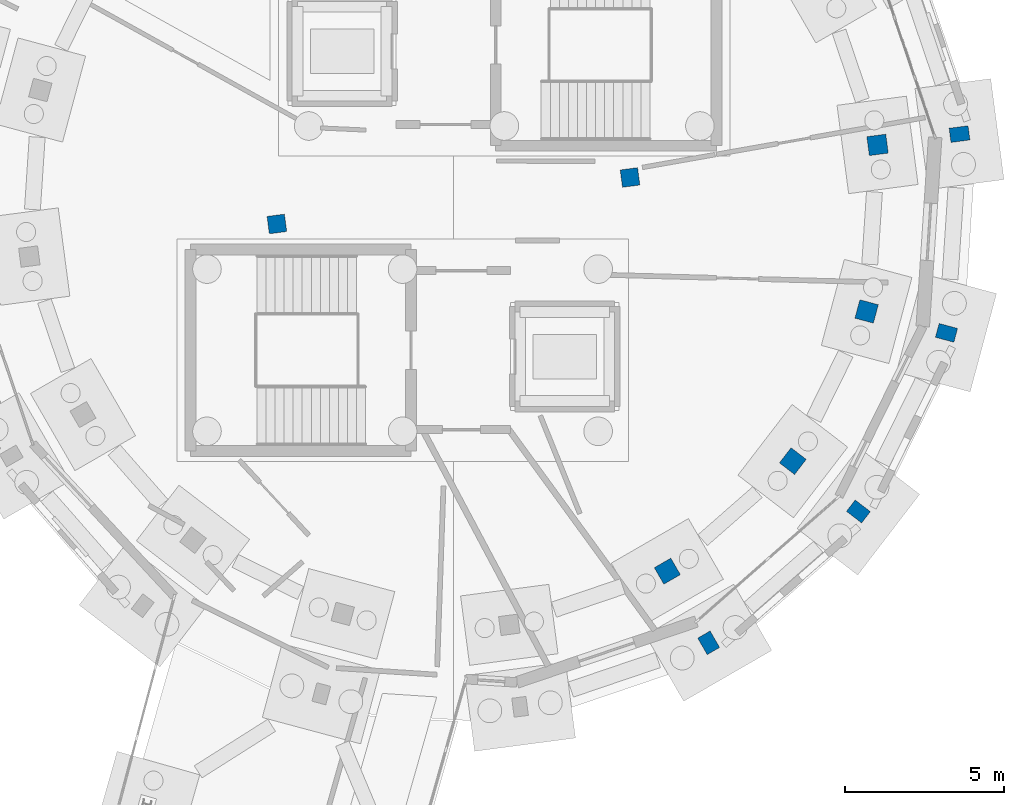
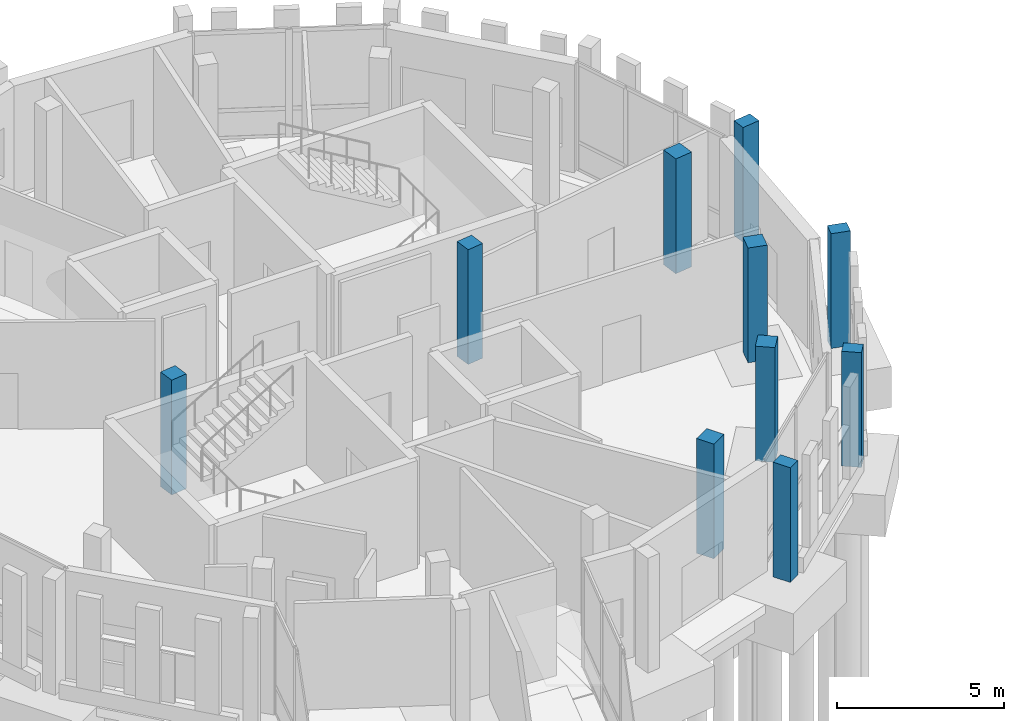
# One storey, part 26 of 113: 10 columns.
"""IFC4 building model written with IfcOpenShell, lengths in metres."""

from ifc_helpers import new_model, si_unit, direction, frame, origin, origin_2d, place, context, subcontext, project, spatial, rectangle, extrude, material, material_profile, profile_set, type_object, element, save


model = new_model("IFC4")

# Units and contexts
model_context = context("Model", 3, precision=1e-05, world=origin(), true_north=direction((0.0, 1.0)))
body_context = subcontext(model_context, "Body", "Model", "MODEL_VIEW")
ifc_project = project(units=[si_unit("LENGTHUNIT", "METRE"), si_unit("AREAUNIT", "SQUARE_METRE"), si_unit("VOLUMEUNIT", "CUBIC_METRE"), si_unit("PLANEANGLEUNIT", "RADIAN"), si_unit("MASSUNIT", "GRAM", prefix="KILO")], contexts=[model_context])

# Site, building, storey
site_placement = place(None, origin())
site = spatial("IfcSite", under=ifc_project, at=site_placement, CompositionType="ELEMENT")
building_placement = place(site_placement, origin())
building = spatial("IfcBuilding", under=site, at=building_placement, Name="Wrenclough Park School", CompositionType="ELEMENT")
storey_placement = place(building_placement, origin())
storey = spatial("IfcBuildingStorey", under=building, at=storey_placement, Name="L00", CompositionType="ELEMENT", Elevation=0.0)

# Columns
ifc_material = material(Name="Concrete C40/50", Category="concrete")
ifc_material_profile_1 = material_profile(ifc_material, rectangle(XDim=0.550048828125, YDim=0.550048828125, at=origin_2d()), Name="RC COL 550x550")
ifc_profile_set_1 = profile_set([ifc_material_profile_1], Name="Concrete C40/50")
column_type_1 = type_object("IfcColumnType", Name="STR-COL-RC550", PredefinedType="COLUMN", material=ifc_profile_set_1)
for number, where, z_axis, x_axis, name in (
    (1, (180.052001953125, 94.23095703125, 0.0), (0.0, 0.0, 1.0), (0.991444861374, 0.13052619222, 0.0), "D5 L00 column D5-INN-01"),
    (2, (168.947998046875, 92.76904296875, 0.0), (0.0, 0.0, 1.0), (-0.991444861374, -0.13052619222, 0.0), "D5 L00 column D5-INN-05"),
):
    element("IfcColumn", number, at=place(storey_placement, frame(where, z_axis=z_axis, x_axis=x_axis)), inside=storey, type_object=column_type_1, Name=name, PredefinedType="COLUMN", context=body_context, shape_type="SweptSolid", body=[
        extrude(rectangle(XDim=0.550048828125, YDim=0.550048828125, at=origin_2d()), origin(), (0.0, 0.0, 1.0), 4.199951171875),
    ])
ifc_material_profile_2 = material_profile(ifc_material, rectangle(XDim=0.60009765625, YDim=0.60009765625, at=origin_2d()), Name="RC COL 600x600")
ifc_profile_set_2 = profile_set([ifc_material_profile_2], Name="Concrete C40/50")
column_type_2 = type_object("IfcColumnType", Name="STR-COL-RC600", PredefinedType="COLUMN", material=ifc_profile_set_2)
for number, where, z_axis, x_axis, name in (
    (3, (187.8349609375, 95.255615234375, 0.0), (0.0, 0.0, 1.0), (-0.13052619222, 0.991444861374, 0.0), "D5 L00 column D5-MID-01"),
    (4, (181.22509765625, 81.85205078125, 0.0), (0.0, 0.0, 1.0), (0.866025403784, 0.5, 0.0), "D5 L00 column D5-MID-14"),
    (5, (185.170654296875, 85.312255859375, 0.0), (0.0, 0.0, 1.0), (0.608761429009, 0.793353340291, 0.0), "D5 L00 column D5-MID-15"),
    (6, (187.49169921875, 90.018798828125, 0.0), (0.0, 0.0, 1.0), (0.258819045103, 0.965925826289, 0.0), "D5 L00 column D5-MID-16"),
):
    element("IfcColumn", number, at=place(storey_placement, frame(where, z_axis=z_axis, x_axis=x_axis)), inside=storey, type_object=column_type_2, Name=name, PredefinedType="COLUMN", context=body_context, shape_type="SweptSolid", body=[
        extrude(rectangle(XDim=0.60009765625, YDim=0.60009765625, at=origin_2d()), origin(), (0.0, 0.0, 1.0), 4.199951171875),
    ])
ifc_material_profile_3 = material_profile(ifc_material, rectangle(XDim=0.449951171875, YDim=0.60009765625, at=origin_2d()), Name="RC COL 600x450")
ifc_profile_set_3 = profile_set([ifc_material_profile_3], Name="Concrete C40/50")
column_type_3 = type_object("IfcColumnType", Name="STR-COL-RC600x450", PredefinedType="PILASTER", material=ifc_profile_set_3)
for number, where, z_axis, x_axis, name in (
    (7, (190.41259765625, 95.594970703125, 0.0), (0.0, 0.0, 1.0), (-0.13052619222, 0.991444861374, 0.0), "D5 L00 column D5-OUT-01"),
    (8, (182.52490234375, 79.600341796875, 0.0), (0.0, 0.0, 1.0), (0.866025403784, 0.5, 0.0), "D5 L00 column D5-OUT-14"),
    (9, (187.2333984375, 83.7294921875, 0.0), (0.0, 0.0, 1.0), (0.608761429009, 0.793353340291, 0.0), "D5 L00 column D5-OUT-15"),
    (10, (190.003173828125, 89.345947265625, 0.0), (0.0, 0.0, 1.0), (0.258819045103, 0.965925826289, 0.0), "D5 L00 column D5-OUT-16"),
):
    element("IfcColumn", number, at=place(storey_placement, frame(where, z_axis=z_axis, x_axis=x_axis)), inside=storey, type_object=column_type_3, Name=name, PredefinedType="PILASTER", context=body_context, shape_type="SweptSolid", body=[
        extrude(rectangle(XDim=0.449951171875, YDim=0.60009765625, at=origin_2d()), origin(), (0.0, 0.0, 1.0), 4.199951171875),
    ])

save(model, "model.ifc")
